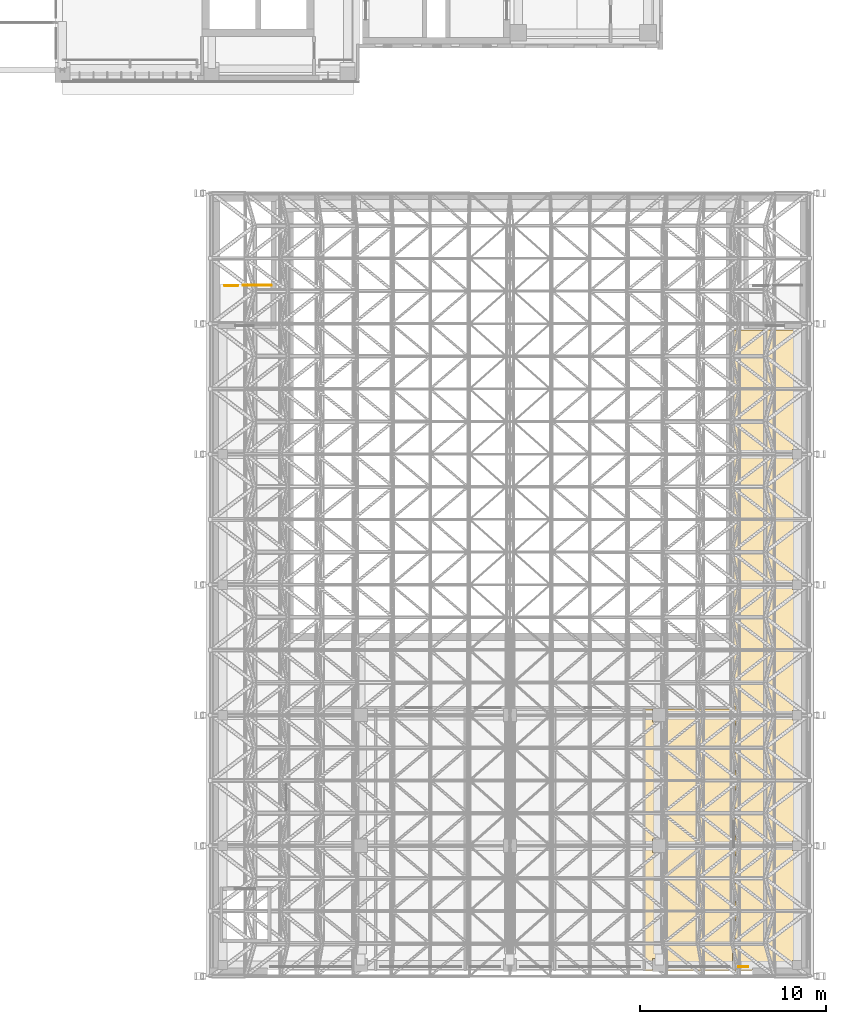
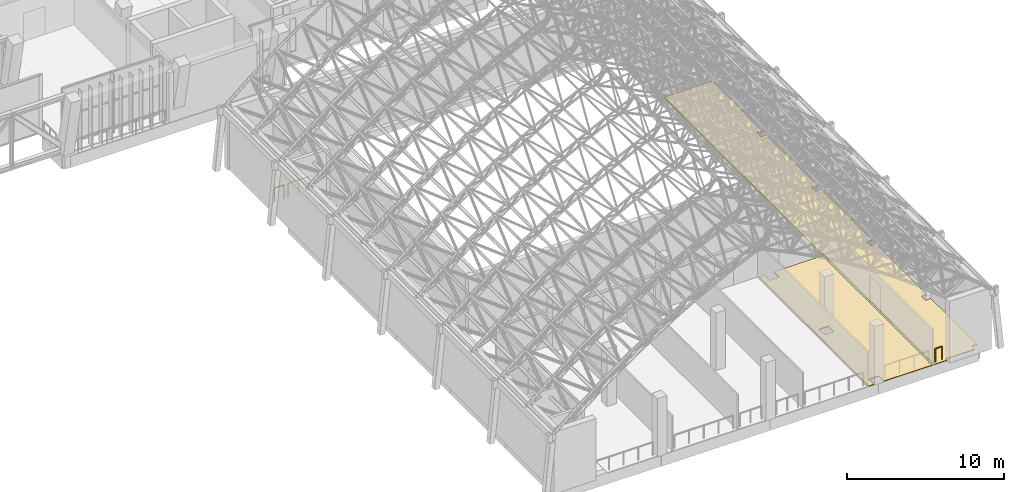
# One storey, part 124 of 141: 3 railings, 2 coverings.
"""IFC4 building model written with IfcOpenShell, lengths in metres."""

from ifc_helpers import new_model, si_unit, direction, frame, origin, origin_2d, place, context, subcontext, project, spatial, polyline, circle, outline, extrude, material, layer, layer_set, type_object, element, save


model = new_model("IFC4")

# Units and contexts
model_context = context("Model", 3, precision=1e-05, world=origin(), true_north=direction((0.0, 1.0)))
body_context = subcontext(model_context, "Body", "Model", "MODEL_VIEW")
ifc_project = project(units=[si_unit("LENGTHUNIT", "METRE"), si_unit("AREAUNIT", "SQUARE_METRE"), si_unit("VOLUMEUNIT", "CUBIC_METRE"), si_unit("PLANEANGLEUNIT", "RADIAN"), si_unit("MASSUNIT", "GRAM", prefix="KILO")], contexts=[model_context])

# Site, building, storey
site_placement = place(None, origin())
site = spatial("IfcSite", under=ifc_project, at=site_placement, CompositionType="ELEMENT")
building_placement = place(site_placement, origin())
building = spatial("IfcBuilding", under=site, at=building_placement, Name="Lantern Court Media Centre", CompositionType="ELEMENT")
storey_placement = place(building_placement, frame((0.0, 0.0, 9.60009765625)))
storey = spatial("IfcBuildingStorey", under=building, at=storey_placement, Name="L02", CompositionType="ELEMENT", Elevation=9.60009765625)

# Covering
ifc_material_1 = material(Name="Carpet")
ifc_layer_1 = layer(ifc_material_1, 0.050048828125)
ifc_layer_set_1 = layer_set([ifc_layer_1], Name="Carpet")
covering_type_1 = type_object("IfcCoveringType", Name="Carpet floor finish", PredefinedType="FLOORING", material=ifc_layer_set_1)
covering_1_placement = place(storey_placement, origin())
element("IfcCovering", 1, at=covering_1_placement, inside=storey, type_object=covering_type_1, Name="Wardrobe floor finish", PredefinedType="FLOORING", context=body_context, shape_type="SweptSolid", body=[
    extrude(outline(polyline([(95.2548828125, -1.699951171875), (95.2548828125, 12.33251953125), (95.64501953125, 12.33251953125), (95.64990234375, 11.64501953125), (96.353515625, 11.646484375), (96.35498046875, 12.33251953125), (99.9326171875, 12.33251953125), (99.9326171875, -1.699951171875), (96.35498046875, -1.699951171875), (96.35009765625, -1.044921875), (95.647705078125, -1.045654296875), (95.64501953125, -1.699951171875), (95.2548828125, -1.699951171875)]), holes=[polyline([(96.35009765625, 4.64501953125), (96.353515625, 5.353515625), (95.646484375, 5.353515625), (95.646484375, 4.646484375), (96.35009765625, 4.64501953125)])]), origin(), (0.0, 0.0, 1.0), 0.0498046875),
])

# Railings
ifc_material_2 = material(Name="Powder-coated steel", Category="steel")
railing_type_1 = type_object("IfcRailingType", Name="Floor edge guard 1100", PredefinedType="GUARDRAIL", material=ifc_material_2)
railing_1_placement = place(storey_placement, frame((72.7099609375, 35.0400390625, 0.0)))
element("IfcRailing", 2, at=railing_1_placement, inside=storey, type_object=railing_type_1, Name="L02 edge guard 55", PredefinedType="GUARDRAIL", context=body_context, shape_type="SweptSolid", body=[
    extrude(circle(Radius=0.02392578125, at=origin_2d()), frame((0.0, 0.0, 1.076171875), z_axis=(1.0, 0.0, 0.0), x_axis=(0.0, 1.0, 0.0)), (0.0, 0.0, 1.0), 0.699951171875),
    extrude(circle(Radius=0.02099609375, at=origin_2d()), origin(), (0.0, 0.0, 1.0), 1.052001953125),
    extrude(circle(Radius=0.02099609375, at=origin_2d()), frame((0.699951171875, 0.0, 0.0)), (0.0, 0.0, 1.0), 1.052001953125),
])
railing_2_placement = place(storey_placement, frame((100.760986328125, -1.489990234375, 0.0)))
element("IfcRailing", 3, at=railing_2_placement, inside=storey, type_object=railing_type_1, Name="L02 edge guard 68", PredefinedType="GUARDRAIL", context=body_context, shape_type="SweptSolid", body=[
    extrude(circle(Radius=0.02392578125, at=origin_2d()), frame((0.0, 0.0, 1.076171875), z_axis=(-1.0, 0.0, 0.0), x_axis=(0.0, -1.0, 0.0)), (0.0, 0.0, 1.0), 0.5),
    extrude(circle(Radius=0.02099609375, at=origin_2d()), origin(), (0.0, 0.0, 1.0), 1.052001953125),
    extrude(circle(Radius=0.02099609375, at=origin_2d()), frame((-0.5, 0.0, 0.0)), (0.0, 0.0, 1.0), 1.052001953125),
])
railing_type_2 = type_object("IfcRailingType", Name="Stair guard 1100", PredefinedType="GUARDRAIL", material=ifc_material_2)
railing_3_placement = place(storey_placement, frame((75.199951171875, 35.050048828125, 0.0)))
element("IfcRailing", 4, at=railing_3_placement, inside=storey, type_object=railing_type_2, Name="L02 ST-V2-ST-W top well guard 1", PredefinedType="GUARDRAIL", context=body_context, shape_type="SweptSolid", body=[
    extrude(circle(Radius=0.02392578125, at=origin_2d()), frame((0.0, 0.0, 1.076171875), z_axis=(-1.0, 0.0, 0.0), x_axis=(0.0, -1.0, 0.0)), (0.0, 0.0, 1.0), 1.5),
    extrude(circle(Radius=0.02099609375, at=origin_2d()), origin(), (0.0, 0.0, 1.0), 1.052001953125),
    extrude(circle(Radius=0.02099609375, at=origin_2d()), frame((-0.75, 0.0, 0.0)), (0.0, 0.0, 1.0), 1.052001953125),
    extrude(circle(Radius=0.02099609375, at=origin_2d()), frame((-1.5, 0.0, 0.0)), (0.0, 0.0, 1.0), 1.052001953125),
])

# Covering
ifc_material_3 = material(Name="Terrazzo")
ifc_layer_2 = layer(ifc_material_3, 0.050048828125)
ifc_layer_set_2 = layer_set([ifc_layer_2], Name="Terrazzo")
covering_type_2 = type_object("IfcCoveringType", Name="Terrazzo floor finish", PredefinedType="FLOORING", material=ifc_layer_set_2)
covering_2_placement = place(storey_placement, origin())
element("IfcCovering", 5, at=covering_2_placement, inside=storey, type_object=covering_type_2, Name="Exit Corridor floor finish", PredefinedType="FLOORING", context=body_context, shape_type="SweptSolid", body=[
    extrude(outline(polyline([(103.544921875, 32.64990234375), (103.544921875, 26.2548828125), (103.14501953125, 26.25), (103.146240234375, 25.746826171875), (103.544921875, 25.7451171875), (103.544921875, 19.2548828125), (103.14501953125, 19.25), (103.146240234375, 18.746826171875), (103.544921875, 18.7451171875), (103.544921875, 12.2548828125), (103.14501953125, 12.25), (103.146240234375, 11.746826171875), (103.544921875, 11.7451171875), (103.544921875, 5.2548828125), (103.14501953125, 5.25), (103.146240234375, 4.746826171875), (103.544921875, 4.7451171875), (103.544921875, -1.14501953125), (103.146484375, -1.146484375), (103.14501953125, -1.544921875), (100.99951171875, -1.544921875), (100.9951171875, -1.699951171875), (100.0673828125, -1.699951171875), (100.0673828125, 12.46240234375), (100.0, 12.467529296875), (100.0048828125, 32.64990234375), (103.544921875, 32.64990234375)])), origin(), (0.0, 0.0, 1.0), 0.0498046875),
])

save(model, "model.ifc")
